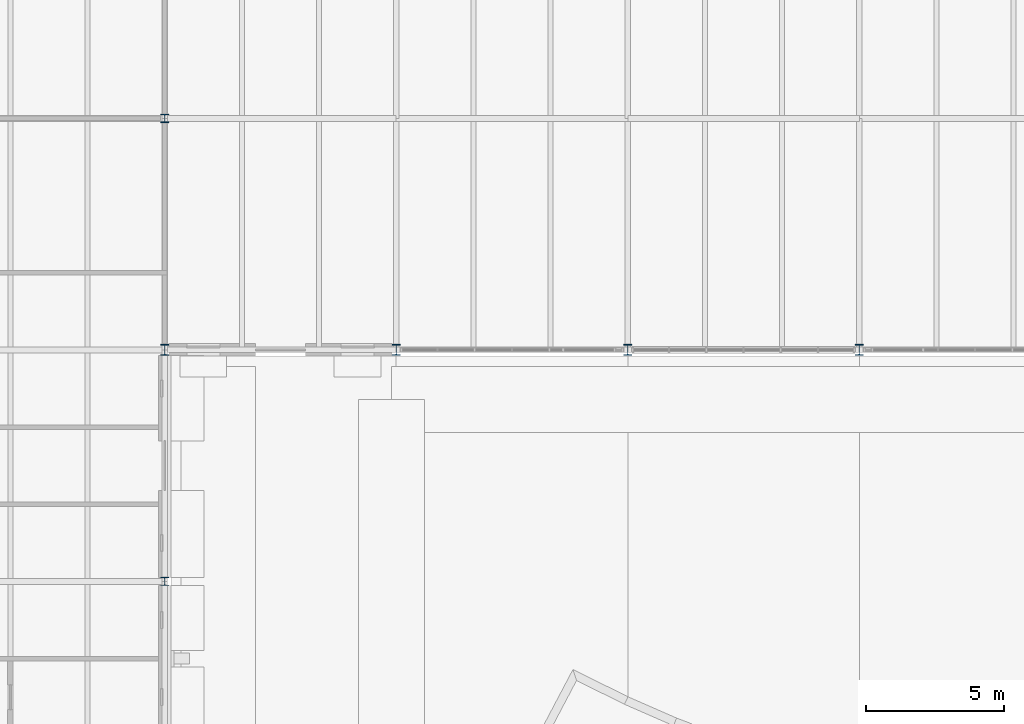
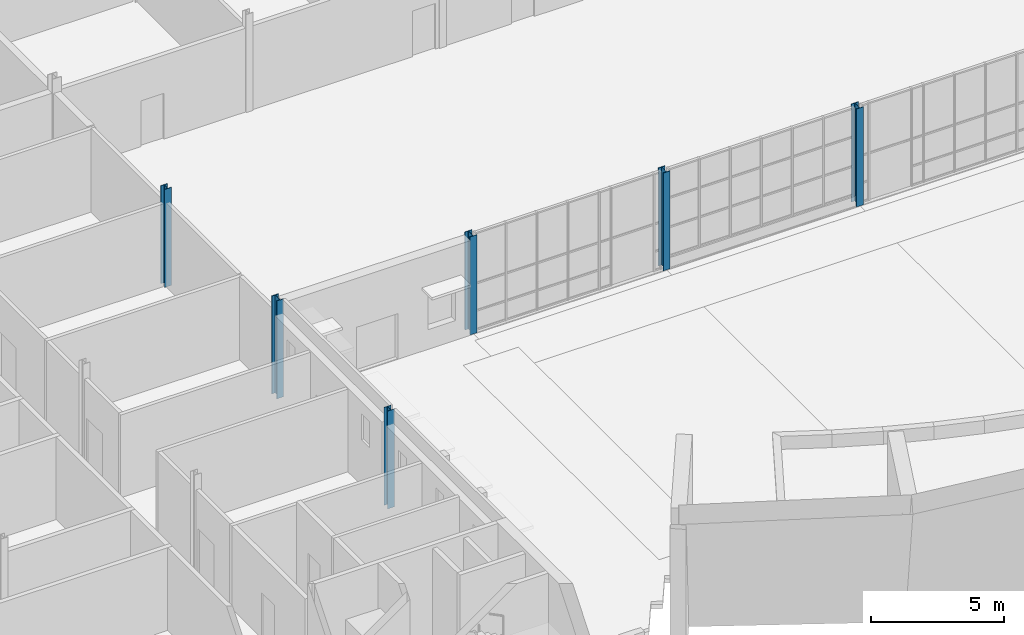
# One storey, part 8 of 116: 6 columns.
"""IFC4 building model written with IfcOpenShell, lengths in metres."""

from ifc_helpers import new_model, si_unit, direction, frame, origin, origin_2d, place, context, subcontext, project, spatial, i_section, extrude, material, material_profile, profile_set, type_object, element, save


model = new_model("IFC4")

# Units and contexts
model_context = context("Model", 3, precision=1e-05, world=origin(), true_north=direction((0.0, 1.0)))
body_context = subcontext(model_context, "Body", "Model", "MODEL_VIEW")
ifc_project = project(units=[si_unit("LENGTHUNIT", "METRE"), si_unit("AREAUNIT", "SQUARE_METRE"), si_unit("VOLUMEUNIT", "CUBIC_METRE"), si_unit("PLANEANGLEUNIT", "RADIAN"), si_unit("MASSUNIT", "GRAM", prefix="KILO")], contexts=[model_context])

# Site, building, storey
site_placement = place(None, origin())
site = spatial("IfcSite", under=ifc_project, at=site_placement, CompositionType="ELEMENT")
building_placement = place(site_placement, origin())
building = spatial("IfcBuilding", under=site, at=building_placement, Name="Ardhachandra Cancer Care Centre", CompositionType="ELEMENT")
storey_placement = place(building_placement, origin())
storey = spatial("IfcBuildingStorey", under=building, at=storey_placement, Name="L00", CompositionType="ELEMENT", Elevation=0.0)

# Columns
ifc_material_1 = material(Name="Steel E350 (IS 2062)", Category="steel")
ifc_material_profile_1 = material_profile(ifc_material_1, i_section(OverallWidth=0.300048828125, OverallDepth=0.300048828125, WebThickness=0.010986328125, FlangeThickness=0.01904296875, FilletRadius=0.027099609375, at=origin_2d()), Name="WPB 300x300x117.03")
ifc_profile_set_1 = profile_set([ifc_material_profile_1], Name="Steel E350 (IS 2062)")
column_type_1 = type_object("IfcColumnType", Name="Column WPB 300x300x117.03", PredefinedType="COLUMN", material=ifc_profile_set_1)
column_1_placement = place(storey_placement, frame((44.39990234375, 63.0, 0.0), z_axis=(0.0, 0.0, 1.0), x_axis=(1.0, 0.0, 0.0)))
element("IfcColumn", 1, at=column_1_placement, inside=storey, type_object=column_type_1, Name="Column G5 L00", PredefinedType="COLUMN", context=body_context, shape_type="SweptSolid", body=[
    extrude(i_section(OverallWidth=0.300048828125, OverallDepth=0.300048828125, WebThickness=0.010986328125, FlangeThickness=0.01904296875, FilletRadius=0.027099609375, at=origin_2d()), origin(), (0.0, 0.0, 1.0), 4.5),
])
ifc_material_2 = material(Name="Steel E350 (IS 2062)", Category="steel")
ifc_material_profile_2 = material_profile(ifc_material_2, i_section(OverallWidth=0.300048828125, OverallDepth=0.2900390625, WebThickness=0.008544921875, FlangeThickness=0.013916015625, FilletRadius=0.027099609375, at=origin_2d()), Name="WPB 300x300x88.33")
ifc_profile_set_2 = profile_set([ifc_material_profile_2], Name="Steel E350 (IS 2062)")
column_type_2 = type_object("IfcColumnType", Name="Column WPB 300x300x88.33", PredefinedType="COLUMN", material=ifc_profile_set_2)
column_2_placement = place(storey_placement, frame((44.39990234375, 46.199951171875, 0.0), z_axis=(0.0, 0.0, 1.0), x_axis=(1.0, 0.0, 0.0)))
element("IfcColumn", 2, at=column_2_placement, inside=storey, type_object=column_type_2, Name="Column E5 L00", PredefinedType="COLUMN", context=body_context, shape_type="SweptSolid", body=[
    extrude(i_section(OverallWidth=0.300048828125, OverallDepth=0.2900390625, WebThickness=0.008544921875, FlangeThickness=0.013916015625, FilletRadius=0.027099609375, at=origin_2d()), origin(), (0.0, 0.0, 1.0), 4.5),
])
ifc_material_3 = material(Name="Steel E350 (IS 2062)", Category="steel")
ifc_material_profile_3 = material_profile(ifc_material_3, i_section(OverallWidth=0.300048828125, OverallDepth=0.39990234375, WebThickness=0.013427734375, FlangeThickness=0.02392578125, FilletRadius=0.027099609375, at=origin_2d()), Name="WPB 400x300x155.26")
ifc_profile_set_3 = profile_set([ifc_material_profile_3], Name="Steel E350 (IS 2062)")
column_type_3 = type_object("IfcColumnType", Name="Column WPB 400x300x155.26", PredefinedType="COLUMN", material=ifc_profile_set_3)
for number, where, z_axis, x_axis, name in (
    (3, (44.39990234375, 54.60009765625, 0.0), (0.0, 0.0, 1.0), (1.0, 0.0, 0.0), "Column F5 L00"),
    (4, (52.800048828125, 54.60009765625, 0.0), (0.0, 0.0, 1.0), (1.0, 0.0, 0.0), "Column F6 L00"),
    (5, (61.199951171875, 54.60009765625, 0.0), (0.0, 0.0, 1.0), (1.0, 0.0, 0.0), "Column F7 L00"),
    (6, (69.60009765625, 54.60009765625, 0.0), (0.0, 0.0, 1.0), (1.0, 0.0, 0.0), "Column F8 L00"),
):
    element("IfcColumn", number, at=place(storey_placement, frame(where, z_axis=z_axis, x_axis=x_axis)), inside=storey, type_object=column_type_3, Name=name, PredefinedType="COLUMN", context=body_context, shape_type="SweptSolid", body=[
        extrude(i_section(OverallWidth=0.300048828125, OverallDepth=0.39990234375, WebThickness=0.013427734375, FlangeThickness=0.02392578125, FilletRadius=0.027099609375, at=origin_2d()), origin(), (0.0, 0.0, 1.0), 4.5),
    ])

save(model, "model.ifc")
